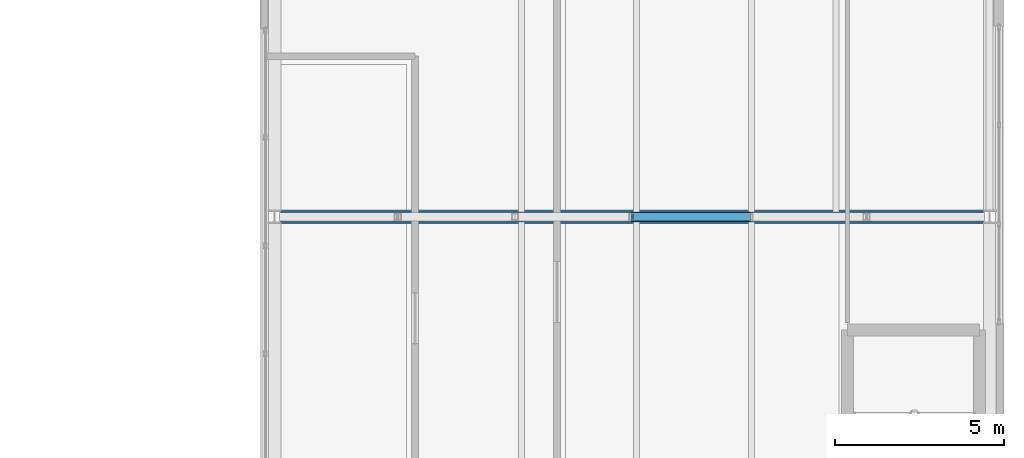
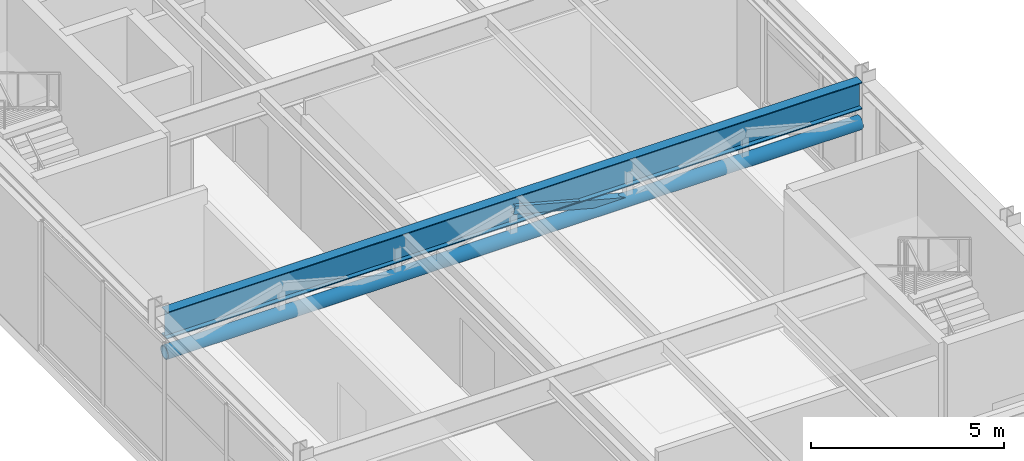
# One storey, part 10 of 29: 2 members, 1 beam.
"""IFC4 building model written with IfcOpenShell, lengths in metres."""

from ifc_helpers import new_model, si_unit, direction, frame, origin, origin_2d, place, context, subcontext, project, spatial, hollow_rectangle, hollow_circle, i_section, extrude, material, material_profile, profile_set, type_object, element, save


model = new_model("IFC4")

# Units and contexts
model_context = context("Model", 3, precision=1e-05, world=origin(), true_north=direction((0.0, 1.0)))
body_context = subcontext(model_context, "Body", "Model", "MODEL_VIEW")
ifc_project = project(units=[si_unit("LENGTHUNIT", "METRE"), si_unit("AREAUNIT", "SQUARE_METRE"), si_unit("VOLUMEUNIT", "CUBIC_METRE"), si_unit("PLANEANGLEUNIT", "RADIAN"), si_unit("MASSUNIT", "GRAM", prefix="KILO")], contexts=[model_context])

# Site, building, storey
site_placement = place(None, origin())
site = spatial("IfcSite", under=ifc_project, at=site_placement, CompositionType="ELEMENT")
building_placement = place(site_placement, origin())
building = spatial("IfcBuilding", under=site, at=building_placement, Name="Mersakhor Tower and Convention Hall", CompositionType="ELEMENT")
storey_placement = place(building_placement, frame((0.0, 0.0, 9.60009765625)))
storey = spatial("IfcBuildingStorey", under=building, at=storey_placement, Name="L02", CompositionType="ELEMENT", Elevation=9.60009765625)

# Beam
ifc_material_1 = material(Name="Steel S355", Category="steel")
ifc_material_profile_1 = material_profile(ifc_material_1, i_section(OverallWidth=0.293701171875, OverallDepth=0.850830078125, WebThickness=0.01611328125, FlangeThickness=0.02685546875, at=origin_2d()), Name="UB 838x292x226")
ifc_profile_set_1 = profile_set([ifc_material_profile_1], Name="Steel S355")
beam_type = type_object("IfcBeamType", Name="BM-PR-838", PredefinedType="BEAM", material=ifc_profile_set_1)
beam_placement = place(storey_placement, frame((55.679931640625, 33.25, 4.054443359375), z_axis=(1.0, 0.0, 0.0), x_axis=(0.0, 1.0, 0.0)))
element("IfcBeam", 1, at=beam_placement, inside=storey, type_object=beam_type, Name="Convention L02 Clear-Span Girder CG-5", PredefinedType="BEAM", context=body_context, shape_type="SweptSolid", body=[
    extrude(i_section(OverallWidth=0.293701171875, OverallDepth=0.850830078125, WebThickness=0.01611328125, FlangeThickness=0.02685546875, at=origin_2d()), origin(), (0.0, 0.0, 1.0), 20.7900390625),
])

# Members
ifc_material_2 = material(Name="Steel S355", Category="steel")
ifc_material_profile_2 = material_profile(ifc_material_2, hollow_rectangle(XDim=0.25, YDim=0.25, WallThickness=0.01611328125, at=origin_2d()), Name="SHS 250x250x16")
ifc_profile_set_2 = profile_set([ifc_material_profile_2], Name="Steel S355")
member_type_1 = type_object("IfcMemberType", Name="MB-BRC-SHS250", PredefinedType="BRACE", material=ifc_profile_set_2)
member_1_placement = place(storey_placement, frame((66.074951171875, 33.25, 4.054443359375), z_axis=(0.966197643238, 0.0, -0.257802471285), x_axis=(0.0, 1.0, 0.0)))
element("IfcMember", 2, at=member_1_placement, inside=storey, type_object=member_type_1, Name="Convention L02 Truss Web Diagonal TD-5-4", PredefinedType="BRACE", context=body_context, shape_type="SweptSolid", body=[
    extrude(hollow_rectangle(XDim=0.25, YDim=0.25, WallThickness=0.01611328125, at=origin_2d()), origin(), (0.0, 0.0, 1.0), 3.58642578125),
])
ifc_material_3 = material(Name="Steel S355", Category="steel")
ifc_material_profile_3 = material_profile(ifc_material_3, hollow_circle(Radius=0.203125, WallThickness=0.02490234375, at=origin_2d()), Name="CHS 406.4x25")
ifc_profile_set_3 = profile_set([ifc_material_profile_3], Name="Steel S355")
member_type_2 = type_object("IfcMemberType", Name="MB-CHD-CHS406", PredefinedType="CHORD", material=ifc_profile_set_3)
member_2_placement = place(storey_placement, frame((55.679931640625, 33.25, 3.1298828125), z_axis=(1.0, 0.0, 0.0), x_axis=(0.0, 1.0, 0.0)))
element("IfcMember", 3, at=member_2_placement, inside=storey, type_object=member_type_2, Name="Convention L02 Long-Span Truss Bottom Chord TC-5", PredefinedType="CHORD", context=body_context, shape_type="SweptSolid", body=[
    extrude(hollow_circle(Radius=0.203125, WallThickness=0.02490234375, at=origin_2d()), origin(), (0.0, 0.0, 1.0), 20.7900390625),
])

save(model, "model.ifc")
